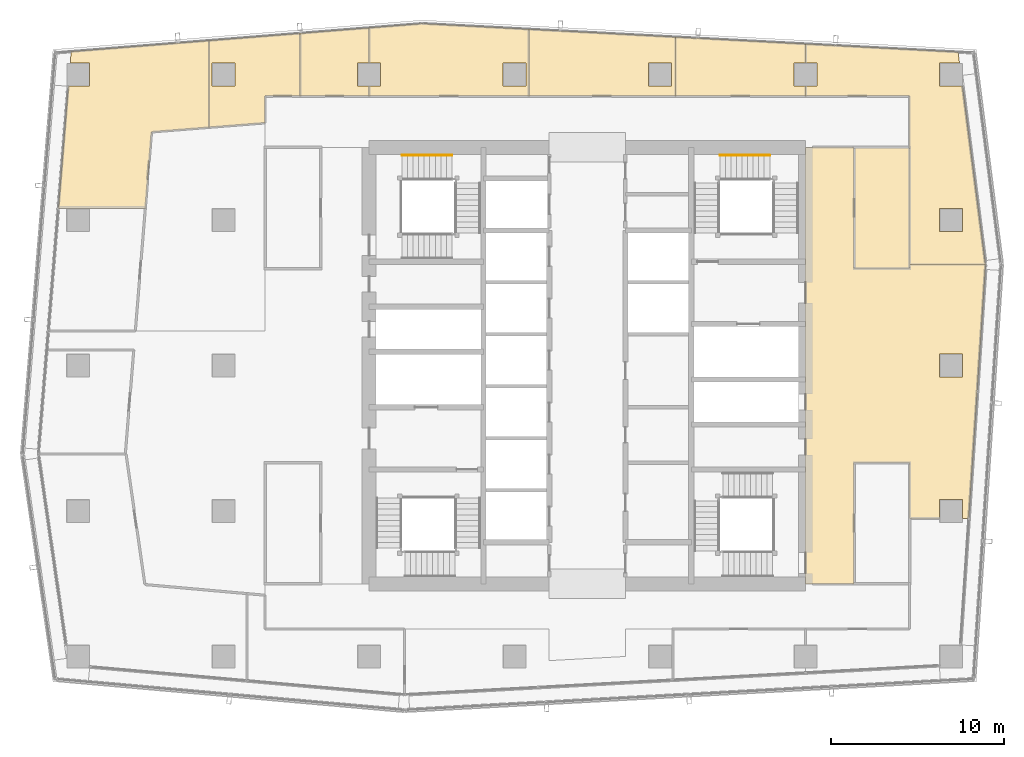
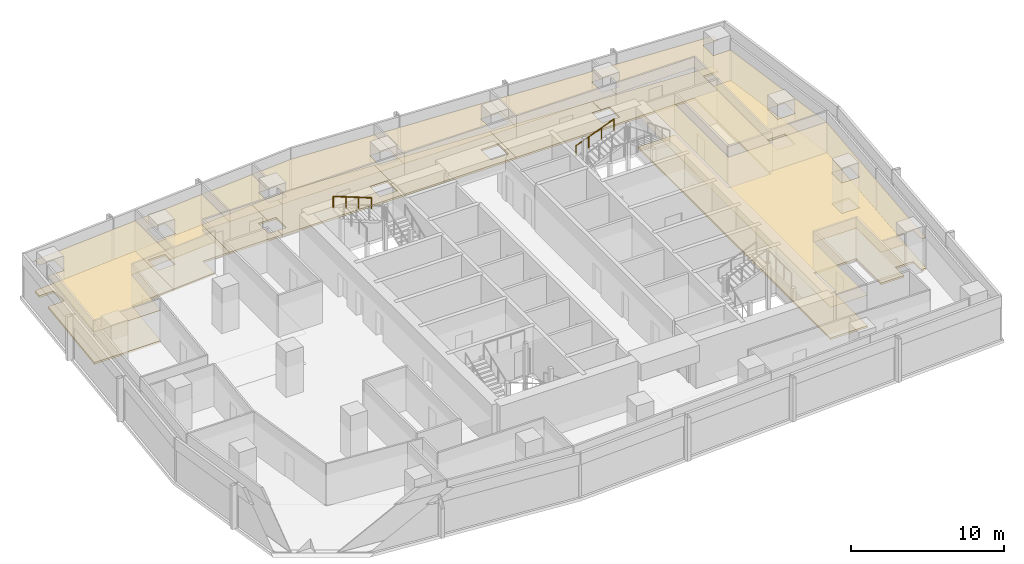
# One storey, part 29 of 29: 17 coverings, 2 railings.
"""IFC4 building model written with IfcOpenShell, lengths in metres."""

from ifc_helpers import new_model, si_unit, direction, frame, origin, origin_2d, place, context, subcontext, project, spatial, polyline, circle, outline, extrude, material, layer, layer_set, type_object, element, save


model = new_model("IFC4")

# Units and contexts
model_context = context("Model", 3, precision=1e-05, world=origin(), true_north=direction((0.0, 1.0)))
body_context = subcontext(model_context, "Body", "Model", "MODEL_VIEW")
ifc_project = project(units=[si_unit("LENGTHUNIT", "METRE"), si_unit("AREAUNIT", "SQUARE_METRE"), si_unit("VOLUMEUNIT", "CUBIC_METRE"), si_unit("PLANEANGLEUNIT", "RADIAN"), si_unit("MASSUNIT", "GRAM", prefix="KILO")], contexts=[model_context])

# Site, building, storey
site_placement = place(None, origin())
site = spatial("IfcSite", under=ifc_project, at=site_placement, CompositionType="ELEMENT")
building_placement = place(site_placement, origin())
building = spatial("IfcBuilding", under=site, at=building_placement, Name="Rekha Terrace Tower", CompositionType="ELEMENT")
storey_placement = place(building_placement, frame((0.0, 0.0, 261.35009765625)))
storey = spatial("IfcBuildingStorey", under=building, at=storey_placement, Name="L66", CompositionType="ELEMENT", Elevation=261.35009765625)

# Coverings
ifc_material_1 = material(Name="Mineral fibre tile in exposed grid", Category="finish")
ifc_layer_1 = layer(ifc_material_1, 0.02001953125)
ifc_layer_set_1 = layer_set([ifc_layer_1], Name="Mineral fibre tile in exposed grid")
covering_type_1 = type_object("IfcCoveringType", Name="CL1 600x1200 office grid ceiling", PredefinedType="CEILING", material=ifc_layer_set_1)
covering_1_placement = place(storey_placement, frame((0.0, 0.0, 2.579833984375)))
element("IfcCovering", 1, at=covering_1_placement, inside=storey, type_object=covering_type_1, Name="Ceiling L66-05", PredefinedType="CEILING", context=body_context, shape_type="SweptSolid", body=[
    extrude(outline(polyline([(59.465087890625, 25.864990234375), (59.465087890625, 24.787109375), (59.81494140625, 24.787109375), (60.300048828125, 32.095947265625), (60.300048828125, 32.096923828125), (60.787109375, 39.43896484375), (56.39990234375, 39.43896484375), (56.39990234375, 39.199951171875), (53.199951171875, 39.199951171875), (53.199951171875, 46.199951171875), (50.39990234375, 46.199951171875), (50.39990234375, 21.0), (53.199951171875, 21.0), (53.199951171875, 28.0), (56.39990234375, 28.0), (56.39990234375, 24.787109375), (58.135009765625, 24.787109375), (58.135009765625, 25.864990234375), (59.465087890625, 25.864990234375)]), holes=[polyline([(59.465087890625, 34.264892578125), (59.465087890625, 32.93505859375), (58.135009765625, 32.93505859375), (58.135009765625, 34.264892578125), (59.465087890625, 34.264892578125)])]), origin(), (0.0, 0.0, 1.0), 0.02001953125),
])
covering_2_placement = place(storey_placement, frame((0.0, 0.0, 2.579833984375)))
element("IfcCovering", 2, at=covering_2_placement, inside=storey, type_object=covering_type_1, Name="Ceiling L66-06", PredefinedType="CEILING", context=body_context, shape_type="SweptSolid", body=[
    extrude(outline(polyline([(51.06494140625, 49.735107421875), (50.403076171875, 49.735107421875), (50.403076171875, 49.14990234375), (56.39990234375, 49.14990234375), (56.39990234375, 39.43994140625), (60.781005859375, 39.43994140625), (59.4541015625, 49.735107421875), (58.135009765625, 49.735107421875), (58.135009765625, 51.06494140625), (59.282958984375, 51.06494140625), (59.199951171875, 51.7060546875), (50.403076171875, 52.174072265625), (50.403076171875, 51.06494140625), (51.06494140625, 51.06494140625), (51.06494140625, 49.735107421875)]), holes=[polyline([(59.465087890625, 41.3349609375), (58.135009765625, 41.3349609375), (58.135009765625, 42.6650390625), (59.465087890625, 42.6650390625), (59.465087890625, 41.3349609375)])]), origin(), (0.0, 0.0, 1.0), 0.02001953125),
])
covering_3_placement = place(storey_placement, frame((0.0, 0.0, 2.579833984375)))
element("IfcCovering", 3, at=covering_3_placement, inside=storey, type_object=covering_type_1, Name="Ceiling L66-07", PredefinedType="CEILING", context=body_context, shape_type="SweptSolid", body=[
    extrude(outline(polyline([(50.402099609375, 51.06494140625), (50.402099609375, 52.174072265625), (42.889892578125, 52.572998046875), (42.889892578125, 49.14990234375), (50.402099609375, 49.14990234375), (50.402099609375, 49.735107421875), (49.735107421875, 49.735107421875), (49.735107421875, 51.06494140625), (50.402099609375, 51.06494140625)])), origin(), (0.0, 0.0, 1.0), 0.02001953125),
])
covering_4_placement = place(storey_placement, frame((0.0, 0.0, 2.579833984375)))
element("IfcCovering", 4, at=covering_4_placement, inside=storey, type_object=covering_type_1, Name="Ceiling L66-08", PredefinedType="CEILING", context=body_context, shape_type="SweptSolid", body=[
    extrude(outline(polyline([(42.888916015625, 49.14990234375), (42.888916015625, 52.572998046875), (34.41796875, 53.02294921875), (34.41796875, 49.14990234375), (42.888916015625, 49.14990234375)]), holes=[polyline([(42.6650390625, 49.735107421875), (41.3349609375, 49.735107421875), (41.3349609375, 51.06494140625), (42.6650390625, 51.06494140625), (42.6650390625, 49.735107421875)])]), origin(), (0.0, 0.0, 1.0), 0.02001953125),
])
covering_5_placement = place(storey_placement, frame((0.0, 0.0, 2.579833984375)))
element("IfcCovering", 5, at=covering_5_placement, inside=storey, type_object=covering_type_1, Name="Ceiling L66-09", PredefinedType="CEILING", context=body_context, shape_type="SweptSolid", body=[
    extrude(outline(polyline([(34.4169921875, 53.02294921875), (28.27294921875, 53.35009765625), (25.2060546875, 53.10498046875), (25.2060546875, 51.06494140625), (25.864990234375, 51.06494140625), (25.864990234375, 49.735107421875), (25.2060546875, 49.735107421875), (25.2060546875, 49.14990234375), (34.4169921875, 49.14990234375), (34.4169921875, 53.02294921875)]), holes=[polyline([(34.264892578125, 49.735107421875), (32.93505859375, 49.735107421875), (32.93505859375, 51.06494140625), (34.264892578125, 51.06494140625), (34.264892578125, 49.735107421875)])]), origin(), (0.0, 0.0, 1.0), 0.02001953125),
])
covering_6_placement = place(storey_placement, frame((0.0, 0.0, 2.579833984375)))
element("IfcCovering", 6, at=covering_6_placement, inside=storey, type_object=covering_type_1, Name="Ceiling L66-10", PredefinedType="CEILING", context=body_context, shape_type="SweptSolid", body=[
    extrude(outline(polyline([(25.205078125, 51.06494140625), (25.205078125, 53.10498046875), (21.22705078125, 52.7880859375), (21.22705078125, 49.14990234375), (25.205078125, 49.14990234375), (25.205078125, 49.735107421875), (24.534912109375, 49.735107421875), (24.534912109375, 51.06494140625), (25.205078125, 51.06494140625)])), origin(), (0.0, 0.0, 1.0), 0.02001953125),
])
covering_7_placement = place(storey_placement, frame((0.0, 0.0, 2.579833984375)))
element("IfcCovering", 7, at=covering_7_placement, inside=storey, type_object=covering_type_1, Name="Ceiling L66-11", PredefinedType="CEILING", context=body_context, shape_type="SweptSolid", body=[
    extrude(outline(polyline([(15.950927734375, 52.366943359375), (15.950927734375, 47.35107421875), (19.199951171875, 47.610107421875), (19.199951171875, 49.14990234375), (21.22607421875, 49.14990234375), (21.22607421875, 52.7880859375), (15.950927734375, 52.366943359375)]), holes=[polyline([(17.465087890625, 49.735107421875), (16.135009765625, 49.735107421875), (16.135009765625, 51.06494140625), (17.465087890625, 51.06494140625), (17.465087890625, 49.735107421875)])]), origin(), (0.0, 0.0, 1.0), 0.02001953125),
])
covering_8_placement = place(storey_placement, frame((0.0, 0.0, 2.579833984375)))
element("IfcCovering", 8, at=covering_8_placement, inside=storey, type_object=covering_type_1, Name="Ceiling L66-12", PredefinedType="CEILING", context=body_context, shape_type="SweptSolid", body=[
    extrude(outline(polyline([(7.26611328125, 42.656982421875), (7.735107421875, 42.656982421875), (7.735107421875, 42.6650390625), (9.06494140625, 42.6650390625), (9.06494140625, 42.656982421875), (12.281982421875, 42.656982421875), (12.64306640625, 47.0869140625), (15.949951171875, 47.35107421875), (15.949951171875, 52.366943359375), (8.00390625, 51.73291015625), (7.949951171875, 51.06494140625), (9.06494140625, 51.06494140625), (9.06494140625, 49.735107421875), (7.842041015625, 49.735107421875), (7.26611328125, 42.656982421875)])), origin(), (0.0, 0.0, 1.0), 0.02001953125),
])
ifc_material_2 = material(Name="Fibre cement board", Category="finish")
ifc_layer_2 = layer(ifc_material_2, 0.014892578125)
ifc_layer_set_2 = layer_set([ifc_layer_2], Name="Fibre cement board")
covering_type_2 = type_object("IfcCoveringType", Name="CL2 moisture-resistant board ceiling", PredefinedType="CEILING", material=ifc_layer_set_2)
covering_9_placement = place(storey_placement, frame((0.0, 0.0, 2.5849609375)))
element("IfcCovering", 9, at=covering_9_placement, inside=storey, type_object=covering_type_2, Name="Ceiling L66-WCF", PredefinedType="CEILING", context=body_context, shape_type="SweptSolid", body=[
    extrude(outline(polyline([(56.39990234375, 46.199951171875), (53.199951171875, 46.199951171875), (53.199951171875, 39.199951171875), (56.39990234375, 39.199951171875), (56.39990234375, 46.199951171875)])), origin(), (0.0, 0.0, 1.0), 0.014892578125),
])

# Railings
ifc_material_3 = material(Name="Stainless steel tube", Category="steel")
railing_type = type_object("IfcRailingType", Name="HR1 900 stair handrail", PredefinedType="HANDRAIL", material=ifc_material_3)
railing_1_placement = place(storey_placement, frame((45.449951171875, 45.739990234375, 1.375)))
element("IfcRailing", 10, at=railing_1_placement, inside=storey, type_object=railing_type, Name="Handrail ST2 L66 flight 2", PredefinedType="HANDRAIL", context=body_context, shape_type="SweptSolid", body=[
    extrude(circle(Radius=0.02392578125, at=origin_2d()), frame((0.0, 0.0, 0.8759765625), z_axis=(0.931462784923, 0.0, 0.363836612098), x_axis=(0.0, 1.0, 0.0)), (0.0, 0.0, 1.0), 3.092041015625),
    extrude(circle(Radius=0.02099609375, at=origin_2d()), origin(), (0.0, 0.0, 1.0), 0.851806640625),
    extrude(circle(Radius=0.02099609375, at=origin_2d()), frame((0.9599609375, 0.0, 0.375)), (0.0, 0.0, 1.0), 0.851806640625),
    extrude(circle(Radius=0.02099609375, at=origin_2d()), frame((1.920166015625, 0.0, 0.75)), (0.0, 0.0, 1.0), 0.851806640625),
    extrude(circle(Radius=0.02099609375, at=origin_2d()), frame((2.880126953125, 0.0, 1.125)), (0.0, 0.0, 1.0), 0.851806640625),
])
railing_2_placement = place(storey_placement, frame((29.97998046875, 45.739990234375, 2.625)))
element("IfcRailing", 11, at=railing_2_placement, inside=storey, type_object=railing_type, Name="Handrail ST4 L66 flight 3", PredefinedType="HANDRAIL", context=body_context, shape_type="SweptSolid", body=[
    extrude(circle(Radius=0.02392578125, at=origin_2d()), frame((0.0, 0.0, 0.8759765625), z_axis=(-0.931452331594, 0.0, 0.363863372667), x_axis=(0.0, -1.0, 0.0)), (0.0, 0.0, 1.0), 3.091796875),
    extrude(circle(Radius=0.02099609375, at=origin_2d()), origin(), (0.0, 0.0, 1.0), 0.851806640625),
    extrude(circle(Radius=0.02099609375, at=origin_2d()), frame((-0.9599609375, 0.0, 0.375)), (0.0, 0.0, 1.0), 0.851806640625),
    extrude(circle(Radius=0.02099609375, at=origin_2d()), frame((-1.919921875, 0.0, 0.75)), (0.0, 0.0, 1.0), 0.851806640625),
    extrude(circle(Radius=0.02099609375, at=origin_2d()), frame((-2.8798828125, 0.0, 1.125)), (0.0, 0.0, 1.0), 0.851806640625),
])

# Coverings
ifc_material_4 = material(Name="Calcium sulphate panels on steel pedestals", Category="steel")
ifc_layer_3 = layer(ifc_material_4, 0.14990234375)
ifc_layer_set_3 = layer_set([ifc_layer_3], Name="Calcium sulphate panels on steel pedestals")
covering_type_3 = type_object("IfcCoveringType", Name="RF1 150 raised access floor", PredefinedType="FLOORING", material=ifc_layer_set_3)
covering_10_placement = place(storey_placement, origin())
element("IfcCovering", 12, at=covering_10_placement, inside=storey, type_object=covering_type_3, Name="Raised floor L66-05", PredefinedType="FLOORING", context=body_context, shape_type="SweptSolid", body=[
    extrude(outline(polyline([(59.465087890625, 25.864990234375), (59.465087890625, 24.787109375), (59.81494140625, 24.787109375), (60.300048828125, 32.095947265625), (60.300048828125, 32.096923828125), (60.787109375, 39.43896484375), (56.39990234375, 39.43896484375), (56.39990234375, 39.199951171875), (53.199951171875, 39.199951171875), (53.199951171875, 46.199951171875), (50.39990234375, 46.199951171875), (50.39990234375, 21.0), (53.199951171875, 21.0), (53.199951171875, 28.0), (56.39990234375, 28.0), (56.39990234375, 24.787109375), (58.135009765625, 24.787109375), (58.135009765625, 25.864990234375), (59.465087890625, 25.864990234375)]), holes=[polyline([(59.465087890625, 34.264892578125), (59.465087890625, 32.93505859375), (58.135009765625, 32.93505859375), (58.135009765625, 34.264892578125), (59.465087890625, 34.264892578125)])]), origin(), (0.0, 0.0, 1.0), 0.14990234375),
])
covering_11_placement = place(storey_placement, origin())
element("IfcCovering", 13, at=covering_11_placement, inside=storey, type_object=covering_type_3, Name="Raised floor L66-06", PredefinedType="FLOORING", context=body_context, shape_type="SweptSolid", body=[
    extrude(outline(polyline([(51.06494140625, 49.735107421875), (50.403076171875, 49.735107421875), (50.403076171875, 49.14990234375), (56.39990234375, 49.14990234375), (56.39990234375, 39.43994140625), (60.781005859375, 39.43994140625), (59.4541015625, 49.735107421875), (58.135009765625, 49.735107421875), (58.135009765625, 51.06494140625), (59.282958984375, 51.06494140625), (59.199951171875, 51.7060546875), (50.403076171875, 52.174072265625), (50.403076171875, 51.06494140625), (51.06494140625, 51.06494140625), (51.06494140625, 49.735107421875)]), holes=[polyline([(59.465087890625, 41.3349609375), (58.135009765625, 41.3349609375), (58.135009765625, 42.6650390625), (59.465087890625, 42.6650390625), (59.465087890625, 41.3349609375)])]), origin(), (0.0, 0.0, 1.0), 0.14990234375),
])
covering_12_placement = place(storey_placement, origin())
element("IfcCovering", 14, at=covering_12_placement, inside=storey, type_object=covering_type_3, Name="Raised floor L66-07", PredefinedType="FLOORING", context=body_context, shape_type="SweptSolid", body=[
    extrude(outline(polyline([(50.402099609375, 51.06494140625), (50.402099609375, 52.174072265625), (42.889892578125, 52.572998046875), (42.889892578125, 49.14990234375), (50.402099609375, 49.14990234375), (50.402099609375, 49.735107421875), (49.735107421875, 49.735107421875), (49.735107421875, 51.06494140625), (50.402099609375, 51.06494140625)])), origin(), (0.0, 0.0, 1.0), 0.14990234375),
])
covering_13_placement = place(storey_placement, origin())
element("IfcCovering", 15, at=covering_13_placement, inside=storey, type_object=covering_type_3, Name="Raised floor L66-08", PredefinedType="FLOORING", context=body_context, shape_type="SweptSolid", body=[
    extrude(outline(polyline([(42.888916015625, 49.14990234375), (42.888916015625, 52.572998046875), (34.41796875, 53.02294921875), (34.41796875, 49.14990234375), (42.888916015625, 49.14990234375)]), holes=[polyline([(42.6650390625, 49.735107421875), (41.3349609375, 49.735107421875), (41.3349609375, 51.06494140625), (42.6650390625, 51.06494140625), (42.6650390625, 49.735107421875)])]), origin(), (0.0, 0.0, 1.0), 0.14990234375),
])
covering_14_placement = place(storey_placement, origin())
element("IfcCovering", 16, at=covering_14_placement, inside=storey, type_object=covering_type_3, Name="Raised floor L66-09", PredefinedType="FLOORING", context=body_context, shape_type="SweptSolid", body=[
    extrude(outline(polyline([(34.4169921875, 53.02294921875), (28.27294921875, 53.35009765625), (25.2060546875, 53.10498046875), (25.2060546875, 51.06494140625), (25.864990234375, 51.06494140625), (25.864990234375, 49.735107421875), (25.2060546875, 49.735107421875), (25.2060546875, 49.14990234375), (34.4169921875, 49.14990234375), (34.4169921875, 53.02294921875)]), holes=[polyline([(34.264892578125, 49.735107421875), (32.93505859375, 49.735107421875), (32.93505859375, 51.06494140625), (34.264892578125, 51.06494140625), (34.264892578125, 49.735107421875)])]), origin(), (0.0, 0.0, 1.0), 0.14990234375),
])
covering_15_placement = place(storey_placement, origin())
element("IfcCovering", 17, at=covering_15_placement, inside=storey, type_object=covering_type_3, Name="Raised floor L66-10", PredefinedType="FLOORING", context=body_context, shape_type="SweptSolid", body=[
    extrude(outline(polyline([(25.205078125, 51.06494140625), (25.205078125, 53.10498046875), (21.22705078125, 52.7880859375), (21.22705078125, 49.14990234375), (25.205078125, 49.14990234375), (25.205078125, 49.735107421875), (24.534912109375, 49.735107421875), (24.534912109375, 51.06494140625), (25.205078125, 51.06494140625)])), origin(), (0.0, 0.0, 1.0), 0.14990234375),
])
covering_16_placement = place(storey_placement, origin())
element("IfcCovering", 18, at=covering_16_placement, inside=storey, type_object=covering_type_3, Name="Raised floor L66-11", PredefinedType="FLOORING", context=body_context, shape_type="SweptSolid", body=[
    extrude(outline(polyline([(15.950927734375, 52.366943359375), (15.950927734375, 47.35107421875), (19.199951171875, 47.610107421875), (19.199951171875, 49.14990234375), (21.22607421875, 49.14990234375), (21.22607421875, 52.7880859375), (15.950927734375, 52.366943359375)]), holes=[polyline([(17.465087890625, 49.735107421875), (16.135009765625, 49.735107421875), (16.135009765625, 51.06494140625), (17.465087890625, 51.06494140625), (17.465087890625, 49.735107421875)])]), origin(), (0.0, 0.0, 1.0), 0.14990234375),
])
covering_17_placement = place(storey_placement, origin())
element("IfcCovering", 19, at=covering_17_placement, inside=storey, type_object=covering_type_3, Name="Raised floor L66-12", PredefinedType="FLOORING", context=body_context, shape_type="SweptSolid", body=[
    extrude(outline(polyline([(7.26611328125, 42.656982421875), (7.735107421875, 42.656982421875), (7.735107421875, 42.6650390625), (9.06494140625, 42.6650390625), (9.06494140625, 42.656982421875), (12.281982421875, 42.656982421875), (12.64306640625, 47.0869140625), (15.949951171875, 47.35107421875), (15.949951171875, 52.366943359375), (8.00390625, 51.73291015625), (7.949951171875, 51.06494140625), (9.06494140625, 51.06494140625), (9.06494140625, 49.735107421875), (7.842041015625, 49.735107421875), (7.26611328125, 42.656982421875)])), origin(), (0.0, 0.0, 1.0), 0.14990234375),
])

save(model, "model.ifc")
